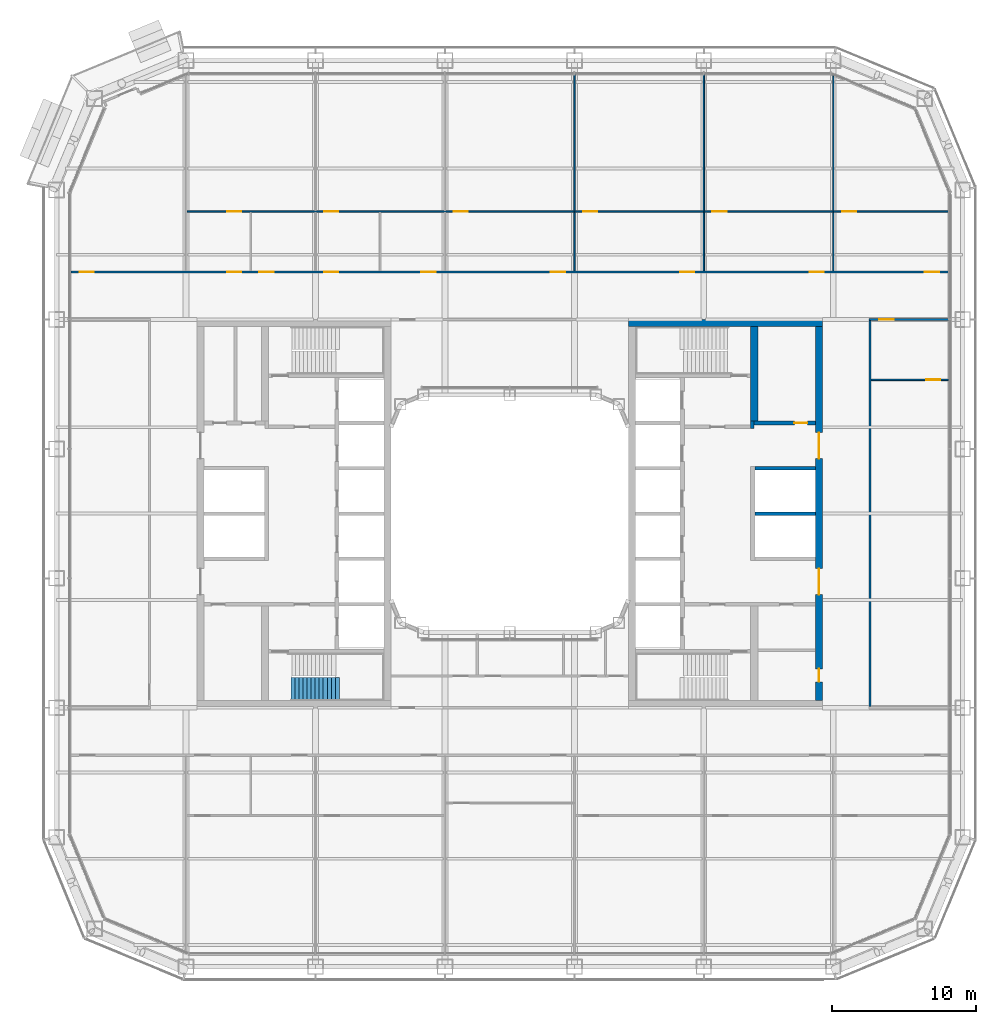
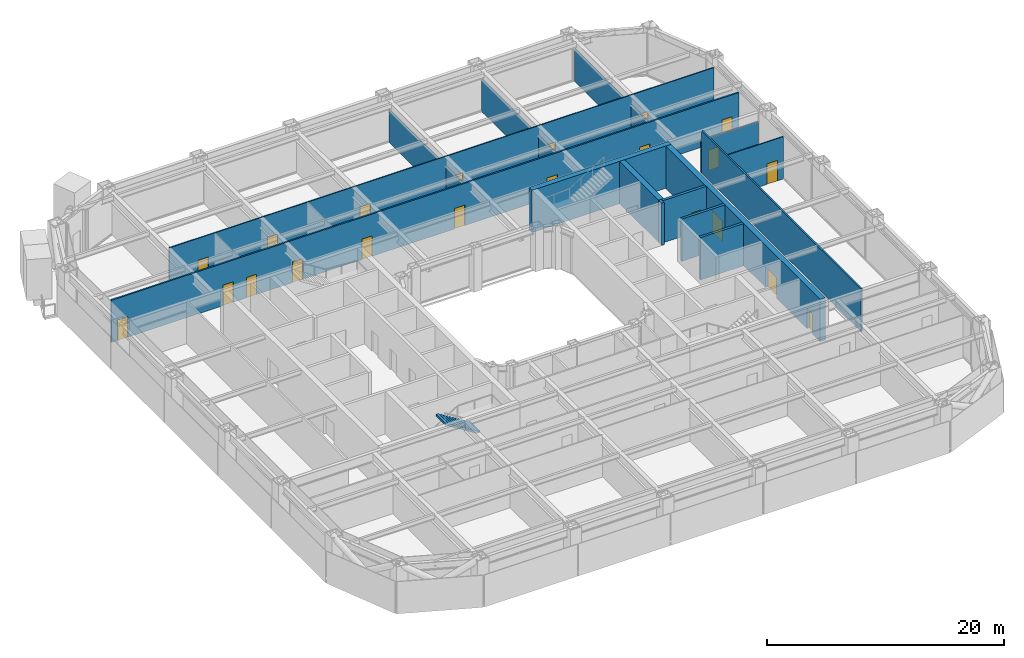
# One storey, part 16 of 29: 21 doors, 18 walls, 1 stair flight, 21 openings, 1 element without a shape of its own.
"""IFC4 building model written with IfcOpenShell, lengths in metres."""

from ifc_helpers import new_model, si_unit, direction, frame, frame_2d, origin, place, context, subcontext, project, spatial, polyline, rectangle, outline, extrude, material, layer, layer_set, type_object, element, fill, aggregate, save


model = new_model("IFC4")

# Units and contexts
model_context = context("Model", 3, precision=1e-05, world=origin(), true_north=direction((0.0, 1.0)))
body_context = subcontext(model_context, "Body", "Model", "MODEL_VIEW")
ifc_project = project(units=[si_unit("LENGTHUNIT", "METRE"), si_unit("AREAUNIT", "SQUARE_METRE"), si_unit("VOLUMEUNIT", "CUBIC_METRE"), si_unit("PLANEANGLEUNIT", "RADIAN"), si_unit("MASSUNIT", "GRAM", prefix="KILO")], contexts=[model_context])

# Site, building, storey
site_placement = place(None, origin())
site = spatial("IfcSite", under=ifc_project, at=site_placement, CompositionType="ELEMENT")
building_placement = place(site_placement, origin())
building = spatial("IfcBuilding", under=site, at=building_placement, Name="Siwar Civic Tower", CompositionType="ELEMENT")
storey_placement = place(building_placement, frame((0.0, 0.0, 49.199951171875)))
storey = spatial("IfcBuildingStorey", under=building, at=storey_placement, Name="L10", CompositionType="ELEMENT", Elevation=49.199951171875)

# Wall
ifc_material_1 = material(Name="Concrete C60/75", Category="concrete")
ifc_layer_1 = layer(ifc_material_1, 0.25)
ifc_layer_set_1 = layer_set([ifc_layer_1], Name="Concrete C60/75")
wall_type_1 = type_object("IfcWallType", Name="CORE-WALL-RC250", PredefinedType="SHEAR", material=ifc_layer_set_1)
wall_1_placement = place(storey_placement, frame((16.875, 5.89990234375, 0.0), z_axis=(0.0, 0.0, 1.0), x_axis=(0.0, 1.0, 0.0)))
element("IfcWall", 1, at=wall_1_placement, inside=storey, type_object=wall_type_1, Name="Core wall E", PredefinedType="SHEAR", context=body_context, shape_type="SweptSolid", body=[
    extrude(rectangle(XDim=0.525146484375, YDim=0.25, at=frame_2d((0.2626953125, 0.0))), origin(), (0.0, 0.0, 1.0), 4.35009765625),
])

# Wall, opening, door
wall_2_placement = place(storey_placement, frame((17.0, 6.300048828125, 0.0), z_axis=(0.0, 0.0, 1.0), x_axis=(1.0, 0.0, 0.0)))
wall_2 = element("IfcWall", 2, at=wall_2_placement, inside=storey, type_object=wall_type_1, Name="Core wall E", PredefinedType="SHEAR", context=body_context, shape_type="SweptSolid", body=[
    extrude(rectangle(XDim=4.25, YDim=0.25, at=frame_2d((2.125, 0.0))), origin(), (0.0, 0.0, 1.0), 4.35009765625),
])
opening_1_placement = place(wall_2_placement, frame((2.800048828125, 0.0, 0.0)))
opening_1 = element("IfcOpeningElement", 3, at=opening_1_placement, cuts=wall_2, Name="Opening L10-CE13", PredefinedType="OPENING", context=body_context, shape_type="SweptSolid", body=[
    extrude(rectangle(XDim=0.89990234375, YDim=2.10009765625, at=frame_2d((0.449951171875, 1.050048828125))), frame((0.0, 0.135009765625, 0.0), z_axis=(0.0, -1.0, 0.0), x_axis=(1.0, 0.0, 0.0)), (0.0, 0.0, 1.0), 0.27001953125),
])
ifc_material_2 = material(Name="Steel door leaf", Category="steel")
door_type_1 = type_object("IfcDoorType", Name="CORE-DOOR-ROOM", OperationType="SINGLE_SWING_LEFT", PredefinedType="DOOR", material=ifc_material_2)
door_1_placement = place(opening_1_placement, origin())
door_1 = element("IfcDoor", 4, at=door_1_placement, inside=storey, type_object=door_type_1, Name="Core room door L10-CE13", OperationType="SINGLE_SWING_LEFT", OverallHeight=2.10009765625, OverallWidth=0.89990234375, PredefinedType="DOOR", context=body_context, shape_type="SweptSolid", body=[
    extrude(rectangle(XDim=0.89990234375, YDim=2.10009765625, at=frame_2d((0.449951171875, 1.050048828125))), frame((0.0, 0.02490234375, 0.0), z_axis=(0.0, -1.0, 0.0), x_axis=(1.0, 0.0, 0.0)), (0.0, 0.0, 1.0), 0.050048828125),
])
fill(opening_1, door_1)

# Walls
for number, where, z_axis, x_axis, name in (
    (5, (17.050048828125, 0.0, 0.0), (0.0, 0.0, 1.0), (1.0, 0.0, 0.0), "Core wall E"),
    (6, (17.050048828125, 3.14990234375, 0.0), (0.0, 0.0, 1.0), (1.0, 0.0, 0.0), "Core wall E"),
):
    element("IfcWall", number, at=place(storey_placement, frame(where, z_axis=z_axis, x_axis=x_axis)), inside=storey, type_object=wall_type_1, Name=name, PredefinedType="SHEAR", context=body_context, shape_type="SweptSolid", body=[
        extrude(rectangle(XDim=4.199951171875, YDim=0.25, at=frame_2d((2.10009765625, 0.0))), origin(), (0.0, 0.0, 1.0), 4.35009765625),
    ])

# Wall, openings, doors
ifc_material_3 = material(Name="Concrete C60/75", Category="concrete")
ifc_layer_2 = layer(ifc_material_3, 0.5)
ifc_layer_set_2 = layer_set([ifc_layer_2], Name="Concrete C60/75")
wall_type_2 = type_object("IfcWallType", Name="CORE-WALL-RC500", PredefinedType="SHEAR", material=ifc_layer_set_2)
wall_3_placement = place(storey_placement, frame((21.5, -13.0, 0.0), z_axis=(0.0, 0.0, 1.0), x_axis=(0.0, 1.0, 0.0)))
wall_3 = element("IfcWall", 7, at=wall_3_placement, inside=storey, type_object=wall_type_2, Name="Core wall E", PredefinedType="SHEAR", context=body_context, shape_type="SweptSolid", body=[
    extrude(rectangle(XDim=26.0, YDim=0.5, at=frame_2d((13.0, 0.0))), origin(), (0.0, 0.0, 1.0), 4.35009765625),
])
opening_2_placement = place(wall_3_placement, frame((16.824951171875, 0.0, 0.0)))
opening_2 = element("IfcOpeningElement", 8, at=opening_2_placement, cuts=wall_3, Name="Opening L10-CE05", PredefinedType="OPENING", context=body_context, shape_type="SweptSolid", body=[
    extrude(rectangle(XDim=1.800048828125, YDim=2.10009765625, at=frame_2d((0.89990234375, 1.050048828125))), frame((0.0, 0.260009765625, 0.0), z_axis=(0.0, -1.0, 0.0), x_axis=(1.0, 0.0, 0.0)), (0.0, 0.0, 1.0), 0.52001953125),
])
opening_3_placement = place(wall_3_placement, frame((7.375, 0.0, 0.0)))
opening_3 = element("IfcOpeningElement", 9, at=opening_3_placement, cuts=wall_3, Name="Opening L10-CE06", PredefinedType="OPENING", context=body_context, shape_type="SweptSolid", body=[
    extrude(rectangle(XDim=1.800048828125, YDim=2.10009765625, at=frame_2d((0.89990234375, 1.050048828125))), frame((0.0, 0.260009765625, 0.0), z_axis=(0.0, -1.0, 0.0), x_axis=(1.0, 0.0, 0.0)), (0.0, 0.0, 1.0), 0.52001953125),
])
opening_4_placement = place(wall_3_placement, frame((1.300048828125, 0.0, 0.0)))
opening_4 = element("IfcOpeningElement", 10, at=opening_4_placement, cuts=wall_3, Name="Opening L10-CE15", PredefinedType="OPENING", context=body_context, shape_type="SweptSolid", body=[
    extrude(rectangle(XDim=0.89990234375, YDim=2.10009765625, at=frame_2d((0.449951171875, 1.050048828125))), frame((0.0, 0.260009765625, 0.0), z_axis=(0.0, -1.0, 0.0), x_axis=(1.0, 0.0, 0.0)), (0.0, 0.0, 1.0), 0.52001953125),
])
ifc_material_4 = material(Name="Steel door leaf", Category="steel")
door_type_2 = type_object("IfcDoorType", Name="CORE-DOOR-PORT", OperationType="DOUBLE_DOOR_DOUBLE_SWING", PredefinedType="DOOR", material=ifc_material_4)
door_2_placement = place(opening_2_placement, origin())
door_2 = element("IfcDoor", 11, at=door_2_placement, inside=storey, type_object=door_type_2, Name="Core entrance door L10-CE05", OperationType="DOUBLE_DOOR_DOUBLE_SWING", OverallHeight=2.10009765625, OverallWidth=1.800048828125, PredefinedType="DOOR", context=body_context, shape_type="SweptSolid", body=[
    extrude(rectangle(XDim=1.800048828125, YDim=2.10009765625, at=frame_2d((0.89990234375, 1.050048828125))), frame((0.0, 0.02490234375, 0.0), z_axis=(0.0, -1.0, 0.0), x_axis=(1.0, 0.0, 0.0)), (0.0, 0.0, 1.0), 0.050048828125),
])
fill(opening_2, door_2)
door_3_placement = place(opening_3_placement, origin())
door_3 = element("IfcDoor", 12, at=door_3_placement, inside=storey, type_object=door_type_2, Name="Core entrance door L10-CE06", OperationType="DOUBLE_DOOR_DOUBLE_SWING", OverallHeight=2.10009765625, OverallWidth=1.800048828125, PredefinedType="DOOR", context=body_context, shape_type="SweptSolid", body=[
    extrude(rectangle(XDim=1.800048828125, YDim=2.10009765625, at=frame_2d((0.89990234375, 1.050048828125))), frame((0.0, 0.02490234375, 0.0), z_axis=(0.0, -1.0, 0.0), x_axis=(1.0, 0.0, 0.0)), (0.0, 0.0, 1.0), 0.050048828125),
])
fill(opening_3, door_3)
door_4_placement = place(opening_4_placement, origin())
door_4 = element("IfcDoor", 13, at=door_4_placement, inside=storey, type_object=door_type_1, Name="Core room door L10-CE15", OperationType="SINGLE_SWING_LEFT", OverallHeight=2.10009765625, OverallWidth=0.89990234375, PredefinedType="DOOR", context=body_context, shape_type="SweptSolid", body=[
    extrude(rectangle(XDim=0.89990234375, YDim=2.10009765625, at=frame_2d((0.449951171875, 1.050048828125))), frame((0.0, 0.02490234375, 0.0), z_axis=(0.0, -1.0, 0.0), x_axis=(1.0, 0.0, 0.0)), (0.0, 0.0, 1.0), 0.050048828125),
])
fill(opening_4, door_4)

# Walls
wall_4_placement = place(storey_placement, frame((17.0, 6.425048828125, 0.0), z_axis=(0.0, 0.0, 1.0), x_axis=(0.0, 1.0, 0.0)))
element("IfcWall", 14, at=wall_4_placement, inside=storey, type_object=wall_type_2, Name="Core wall E", PredefinedType="SHEAR", context=body_context, shape_type="SweptSolid", body=[
    extrude(rectangle(XDim=6.574951171875, YDim=0.5, at=frame_2d((3.28759765625, 0.0))), origin(), (0.0, 0.0, 1.0), 4.35009765625),
])
wall_5_placement = place(storey_placement, frame((8.25, 13.25, 0.0), z_axis=(0.0, 0.0, 1.0), x_axis=(1.0, 0.0, 0.0)))
element("IfcWall", 15, at=wall_5_placement, inside=storey, type_object=wall_type_2, Name="Core wall E", PredefinedType="SHEAR", context=body_context, shape_type="SweptSolid", body=[
    extrude(rectangle(XDim=13.5, YDim=0.5, at=frame_2d((6.75, 0.0))), origin(), (0.0, 0.0, 1.0), 4.35009765625),
])

# Wall, opening, door
ifc_material_5 = material(Name="Gypsum board on steel studs", Category="steel")
ifc_layer_3 = layer(ifc_material_5, 0.14990234375)
ifc_layer_set_3 = layer_set([ifc_layer_3], Name="Gypsum board on steel studs")
wall_type_3 = type_object("IfcWallType", Name="CORRIDOR PARTITION 150 EI 30", PredefinedType="PARTITIONING", material=ifc_layer_set_3)
wall_6_placement = place(storey_placement, frame((24.97509765625, 13.5, 0.0), z_axis=(0.0, 0.0, 1.0), x_axis=(1.0, 0.0, 0.0)))
wall_6 = element("IfcWall", 16, at=wall_6_placement, inside=storey, type_object=wall_type_3, Name="L10/wall/P13", PredefinedType="PARTITIONING", context=body_context, shape_type="SweptSolid", body=[
    extrude(rectangle(XDim=5.534912109375, YDim=0.14990234375, at=frame_2d((2.767578125, 0.0))), origin(), (0.0, 0.0, 1.0), 3.35009765625),
])
opening_5_placement = place(wall_6_placement, frame((0.72509765625, 0.0, 0.0)))
opening_5 = element("IfcOpeningElement", 17, at=opening_5_placement, cuts=wall_6, Name="Opening D1", PredefinedType="OPENING", context=body_context, shape_type="SweptSolid", body=[
    extrude(rectangle(XDim=1.0, YDim=2.10009765625, at=frame_2d((0.5, 1.050048828125))), frame((0.0, 0.0849609375, 0.0), z_axis=(0.0, -1.0, 0.0), x_axis=(1.0, 0.0, 0.0)), (0.0, 0.0, 1.0), 0.169921875),
])
ifc_material_6 = material(Name="Timber, painted", Category="wood")
door_type_3 = type_object("IfcDoorType", Name="DOOR 1000 X 2100 FD30", OperationType="SINGLE_SWING_LEFT", PredefinedType="DOOR", material=ifc_material_6)
door_5_placement = place(opening_5_placement, origin())
door_5 = element("IfcDoor", 18, at=door_5_placement, inside=storey, type_object=door_type_3, Name="L10-D31", OperationType="SINGLE_SWING_LEFT", OverallHeight=2.10009765625, OverallWidth=1.0, PredefinedType="DOOR", context=body_context, shape_type="SweptSolid", body=[
    extrude(rectangle(XDim=1.0, YDim=2.10009765625, at=frame_2d((0.5, 1.050048828125))), frame((0.0, 0.02490234375, 0.0), z_axis=(0.0, -1.0, 0.0), x_axis=(1.0, 0.0, 0.0)), (0.0, 0.0, 1.0), 0.050048828125),
])
fill(opening_5, door_5)

# Wall, openings, doors
wall_7_placement = place(storey_placement, frame((-30.510009765625, 16.800048828125, 0.0), z_axis=(0.0, 0.0, 1.0), x_axis=(1.0, 0.0, 0.0)))
wall_7 = element("IfcWall", 19, at=wall_7_placement, inside=storey, type_object=wall_type_3, Name="L10/wall/P14", PredefinedType="PARTITIONING", context=body_context, shape_type="SweptSolid", body=[
    extrude(rectangle(XDim=61.02001953125, YDim=0.14990234375, at=frame_2d((30.510009765625, 0.0))), origin(), (0.0, 0.0, 1.0), 4.35009765625),
])
opening_6_placement = place(wall_7_placement, frame((10.860107421875, 0.0, 0.0)))
opening_6 = element("IfcOpeningElement", 20, at=opening_6_placement, cuts=wall_7, Name="Opening D1", PredefinedType="OPENING", context=body_context, shape_type="SweptSolid", body=[
    extrude(rectangle(XDim=1.0, YDim=2.10009765625, at=frame_2d((0.5, 1.050048828125))), frame((0.0, 0.0849609375, 0.0), z_axis=(0.0, -1.0, 0.0), x_axis=(1.0, 0.0, 0.0)), (0.0, 0.0, 1.0), 0.169921875),
])
opening_7_placement = place(wall_7_placement, frame((13.110107421875, 0.0, 0.0)))
opening_7 = element("IfcOpeningElement", 21, at=opening_7_placement, cuts=wall_7, Name="Opening D1", PredefinedType="OPENING", context=body_context, shape_type="SweptSolid", body=[
    extrude(rectangle(XDim=1.0, YDim=2.10009765625, at=frame_2d((0.5, 1.050048828125))), frame((0.0, 0.0849609375, 0.0), z_axis=(0.0, -1.0, 0.0), x_axis=(1.0, 0.0, 0.0)), (0.0, 0.0, 1.0), 0.169921875),
])
opening_8_placement = place(wall_7_placement, frame((17.610107421875, 0.0, 0.0)))
opening_8 = element("IfcOpeningElement", 22, at=opening_8_placement, cuts=wall_7, Name="Opening D1", PredefinedType="OPENING", context=body_context, shape_type="SweptSolid", body=[
    extrude(rectangle(XDim=1.0, YDim=2.10009765625, at=frame_2d((0.5, 1.050048828125))), frame((0.0, 0.0849609375, 0.0), z_axis=(0.0, -1.0, 0.0), x_axis=(1.0, 0.0, 0.0)), (0.0, 0.0, 1.0), 0.169921875),
])
opening_9_placement = place(wall_7_placement, frame((24.360107421875, 0.0, 0.0)))
opening_9 = element("IfcOpeningElement", 23, at=opening_9_placement, cuts=wall_7, Name="Opening D1", PredefinedType="OPENING", context=body_context, shape_type="SweptSolid", body=[
    extrude(rectangle(XDim=1.0, YDim=2.10009765625, at=frame_2d((0.5, 1.050048828125))), frame((0.0, 0.0849609375, 0.0), z_axis=(0.0, -1.0, 0.0), x_axis=(1.0, 0.0, 0.0)), (0.0, 0.0, 1.0), 0.169921875),
])
opening_10_placement = place(wall_7_placement, frame((33.360107421875, 0.0, 0.0)))
opening_10 = element("IfcOpeningElement", 24, at=opening_10_placement, cuts=wall_7, Name="Opening D1", PredefinedType="OPENING", context=body_context, shape_type="SweptSolid", body=[
    extrude(rectangle(XDim=1.0, YDim=2.10009765625, at=frame_2d((0.5, 1.050048828125))), frame((0.0, 0.0849609375, 0.0), z_axis=(0.0, -1.0, 0.0), x_axis=(1.0, 0.0, 0.0)), (0.0, 0.0, 1.0), 0.169921875),
])
opening_11_placement = place(wall_7_placement, frame((42.360107421875, 0.0, 0.0)))
opening_11 = element("IfcOpeningElement", 25, at=opening_11_placement, cuts=wall_7, Name="Opening D1", PredefinedType="OPENING", context=body_context, shape_type="SweptSolid", body=[
    extrude(rectangle(XDim=1.0, YDim=2.10009765625, at=frame_2d((0.5, 1.050048828125))), frame((0.0, 0.0849609375, 0.0), z_axis=(0.0, -1.0, 0.0), x_axis=(1.0, 0.0, 0.0)), (0.0, 0.0, 1.0), 0.169921875),
])
opening_12_placement = place(wall_7_placement, frame((51.360107421875, 0.0, 0.0)))
opening_12 = element("IfcOpeningElement", 26, at=opening_12_placement, cuts=wall_7, Name="Opening D1", PredefinedType="OPENING", context=body_context, shape_type="SweptSolid", body=[
    extrude(rectangle(XDim=1.0, YDim=2.10009765625, at=frame_2d((0.5, 1.050048828125))), frame((0.0, 0.0849609375, 0.0), z_axis=(0.0, -1.0, 0.0), x_axis=(1.0, 0.0, 0.0)), (0.0, 0.0, 1.0), 0.169921875),
])
opening_13_placement = place(wall_7_placement, frame((0.610107421875, 0.0, 0.0)))
opening_13 = element("IfcOpeningElement", 27, at=opening_13_placement, cuts=wall_7, Name="Opening D1", PredefinedType="OPENING", context=body_context, shape_type="SweptSolid", body=[
    extrude(rectangle(XDim=1.0, YDim=2.10009765625, at=frame_2d((0.5, 1.050048828125))), frame((0.0, 0.0849609375, 0.0), z_axis=(0.0, -1.0, 0.0), x_axis=(1.0, 0.0, 0.0)), (0.0, 0.0, 1.0), 0.169921875),
])
opening_14_placement = place(wall_7_placement, frame((59.3701171875, 0.0, 0.0)))
opening_14 = element("IfcOpeningElement", 28, at=opening_14_placement, cuts=wall_7, Name="Opening D1", PredefinedType="OPENING", context=body_context, shape_type="SweptSolid", body=[
    extrude(rectangle(XDim=1.0, YDim=2.10009765625, at=frame_2d((0.5, 1.050048828125))), frame((0.0, 0.0849609375, 0.0), z_axis=(0.0, -1.0, 0.0), x_axis=(1.0, 0.0, 0.0)), (0.0, 0.0, 1.0), 0.169921875),
])
door_6_placement = place(opening_6_placement, origin())
door_6 = element("IfcDoor", 29, at=door_6_placement, inside=storey, type_object=door_type_3, Name="L10-D01", OperationType="SINGLE_SWING_LEFT", OverallHeight=2.10009765625, OverallWidth=1.0, PredefinedType="DOOR", context=body_context, shape_type="SweptSolid", body=[
    extrude(rectangle(XDim=1.0, YDim=2.10009765625, at=frame_2d((0.5, 1.050048828125))), frame((0.0, 0.02490234375, 0.0), z_axis=(0.0, -1.0, 0.0), x_axis=(1.0, 0.0, 0.0)), (0.0, 0.0, 1.0), 0.050048828125),
])
fill(opening_6, door_6)
door_7_placement = place(opening_7_placement, origin())
door_7 = element("IfcDoor", 30, at=door_7_placement, inside=storey, type_object=door_type_3, Name="L10-D02", OperationType="SINGLE_SWING_RIGHT", OverallHeight=2.10009765625, OverallWidth=1.0, PredefinedType="DOOR", context=body_context, shape_type="SweptSolid", body=[
    extrude(rectangle(XDim=1.0, YDim=2.10009765625, at=frame_2d((0.5, 1.050048828125))), frame((0.0, 0.02490234375, 0.0), z_axis=(0.0, -1.0, 0.0), x_axis=(1.0, 0.0, 0.0)), (0.0, 0.0, 1.0), 0.050048828125),
])
fill(opening_7, door_7)
door_8_placement = place(opening_8_placement, origin())
door_8 = element("IfcDoor", 31, at=door_8_placement, inside=storey, type_object=door_type_3, Name="L10-D04", OperationType="SINGLE_SWING_RIGHT", OverallHeight=2.10009765625, OverallWidth=1.0, PredefinedType="DOOR", context=body_context, shape_type="SweptSolid", body=[
    extrude(rectangle(XDim=1.0, YDim=2.10009765625, at=frame_2d((0.5, 1.050048828125))), frame((0.0, 0.02490234375, 0.0), z_axis=(0.0, -1.0, 0.0), x_axis=(1.0, 0.0, 0.0)), (0.0, 0.0, 1.0), 0.050048828125),
])
fill(opening_8, door_8)
door_9_placement = place(opening_9_placement, origin())
door_9 = element("IfcDoor", 32, at=door_9_placement, inside=storey, type_object=door_type_3, Name="L10-D05", OperationType="SINGLE_SWING_LEFT", OverallHeight=2.10009765625, OverallWidth=1.0, PredefinedType="DOOR", context=body_context, shape_type="SweptSolid", body=[
    extrude(rectangle(XDim=1.0, YDim=2.10009765625, at=frame_2d((0.5, 1.050048828125))), frame((0.0, 0.02490234375, 0.0), z_axis=(0.0, -1.0, 0.0), x_axis=(1.0, 0.0, 0.0)), (0.0, 0.0, 1.0), 0.050048828125),
])
fill(opening_9, door_9)
door_10_placement = place(opening_10_placement, origin())
door_10 = element("IfcDoor", 33, at=door_10_placement, inside=storey, type_object=door_type_3, Name="L10-D07", OperationType="SINGLE_SWING_LEFT", OverallHeight=2.10009765625, OverallWidth=1.0, PredefinedType="DOOR", context=body_context, shape_type="SweptSolid", body=[
    extrude(rectangle(XDim=1.0, YDim=2.10009765625, at=frame_2d((0.5, 1.050048828125))), frame((0.0, 0.02490234375, 0.0), z_axis=(0.0, -1.0, 0.0), x_axis=(1.0, 0.0, 0.0)), (0.0, 0.0, 1.0), 0.050048828125),
])
fill(opening_10, door_10)
door_11_placement = place(opening_11_placement, origin())
door_11 = element("IfcDoor", 34, at=door_11_placement, inside=storey, type_object=door_type_3, Name="L10-D09", OperationType="SINGLE_SWING_LEFT", OverallHeight=2.10009765625, OverallWidth=1.0, PredefinedType="DOOR", context=body_context, shape_type="SweptSolid", body=[
    extrude(rectangle(XDim=1.0, YDim=2.10009765625, at=frame_2d((0.5, 1.050048828125))), frame((0.0, 0.02490234375, 0.0), z_axis=(0.0, -1.0, 0.0), x_axis=(1.0, 0.0, 0.0)), (0.0, 0.0, 1.0), 0.050048828125),
])
fill(opening_11, door_11)
door_12_placement = place(opening_12_placement, origin())
door_12 = element("IfcDoor", 35, at=door_12_placement, inside=storey, type_object=door_type_3, Name="L10-D11", OperationType="SINGLE_SWING_LEFT", OverallHeight=2.10009765625, OverallWidth=1.0, PredefinedType="DOOR", context=body_context, shape_type="SweptSolid", body=[
    extrude(rectangle(XDim=1.0, YDim=2.10009765625, at=frame_2d((0.5, 1.050048828125))), frame((0.0, 0.02490234375, 0.0), z_axis=(0.0, -1.0, 0.0), x_axis=(1.0, 0.0, 0.0)), (0.0, 0.0, 1.0), 0.050048828125),
])
fill(opening_12, door_12)
door_13_placement = place(opening_13_placement, origin())
door_13 = element("IfcDoor", 36, at=door_13_placement, inside=storey, type_object=door_type_3, Name="L10-D24", OperationType="SINGLE_SWING_RIGHT", OverallHeight=2.10009765625, OverallWidth=1.0, PredefinedType="DOOR", context=body_context, shape_type="SweptSolid", body=[
    extrude(rectangle(XDim=1.0, YDim=2.10009765625, at=frame_2d((0.5, 1.050048828125))), frame((0.0, 0.02490234375, 0.0), z_axis=(0.0, -1.0, 0.0), x_axis=(1.0, 0.0, 0.0)), (0.0, 0.0, 1.0), 0.050048828125),
])
fill(opening_13, door_13)
door_14_placement = place(opening_14_placement, origin())
door_14 = element("IfcDoor", 37, at=door_14_placement, inside=storey, type_object=door_type_3, Name="L10-D25", OperationType="SINGLE_SWING_LEFT", OverallHeight=2.10009765625, OverallWidth=1.0, PredefinedType="DOOR", context=body_context, shape_type="SweptSolid", body=[
    extrude(rectangle(XDim=1.0, YDim=2.10009765625, at=frame_2d((0.5, 1.050048828125))), frame((0.0, 0.02490234375, 0.0), z_axis=(0.0, -1.0, 0.0), x_axis=(1.0, 0.0, 0.0)), (0.0, 0.0, 1.0), 0.050048828125),
])
fill(opening_14, door_14)

# Wall
wall_8_placement = place(storey_placement, frame((25.050048828125, -13.425048828125, 0.0), z_axis=(0.0, 0.0, 1.0), x_axis=(0.0, 1.0, 0.0)))
element("IfcWall", 38, at=wall_8_placement, inside=storey, type_object=wall_type_3, Name="L10/wall/P43", PredefinedType="PARTITIONING", context=body_context, shape_type="SweptSolid", body=[
    extrude(rectangle(XDim=26.85009765625, YDim=0.14990234375, at=frame_2d((13.425048828125, 0.0))), origin(), (0.0, 0.0, 1.0), 4.35009765625),
])

# Wall, opening, door
ifc_material_7 = material(Name="Gypsum board on steel studs", Category="steel")
ifc_layer_4 = layer(ifc_material_7, 0.10009765625)
ifc_layer_set_4 = layer_set([ifc_layer_4], Name="Gypsum board on steel studs")
wall_type_4 = type_object("IfcWallType", Name="PARTITION 100 GYPSUM", PredefinedType="PARTITIONING", material=ifc_layer_set_4)
wall_9_placement = place(storey_placement, frame((25.125, 9.300048828125, 0.0), z_axis=(0.0, 0.0, 1.0), x_axis=(1.0, 0.0, 0.0)))
wall_9 = element("IfcWall", 39, at=wall_9_placement, inside=storey, type_object=wall_type_4, Name="L10/wall/P10", PredefinedType="PARTITIONING", context=body_context, shape_type="SweptSolid", body=[
    extrude(rectangle(XDim=5.385009765625, YDim=0.10009765625, at=frame_2d((2.6923828125, 0.0))), origin(), (0.0, 0.0, 1.0), 4.35009765625),
])
opening_15_placement = place(wall_9_placement, frame((3.824951171875, 0.0, 0.0)))
opening_15 = element("IfcOpeningElement", 40, at=opening_15_placement, cuts=wall_9, Name="Opening D2", PredefinedType="OPENING", context=body_context, shape_type="SweptSolid", body=[
    extrude(rectangle(XDim=1.0, YDim=2.10009765625, at=frame_2d((0.5, 1.050048828125))), frame((0.0, 0.06005859375, 0.0), z_axis=(0.0, -1.0, 0.0), x_axis=(1.0, 0.0, 0.0)), (0.0, 0.0, 1.0), 0.1201171875),
])
ifc_material_8 = material(Name="Timber, painted", Category="wood")
door_type_4 = type_object("IfcDoorType", Name="DOOR 1000 X 2100", OperationType="SINGLE_SWING_LEFT", PredefinedType="DOOR", material=ifc_material_8)
door_15_placement = place(opening_15_placement, origin())
door_15 = element("IfcDoor", 41, at=door_15_placement, inside=storey, type_object=door_type_4, Name="L10-D32", OperationType="SINGLE_SWING_RIGHT", OverallHeight=2.10009765625, OverallWidth=1.0, PredefinedType="DOOR", context=body_context, shape_type="SweptSolid", body=[
    extrude(rectangle(XDim=1.0, YDim=2.10009765625, at=frame_2d((0.5, 1.050048828125))), frame((0.0, 0.02490234375, 0.0), z_axis=(0.0, -1.0, 0.0), x_axis=(1.0, 0.0, 0.0)), (0.0, 0.0, 1.0), 0.050048828125),
])
fill(opening_15, door_15)

# Wall, openings, doors
wall_10_placement = place(storey_placement, frame((-22.449951171875, 21.0, 0.0), z_axis=(0.0, 0.0, 1.0), x_axis=(1.0, 0.0, 0.0)))
wall_10 = element("IfcWall", 42, at=wall_10_placement, inside=storey, type_object=wall_type_4, Name="L10/wall/P15", PredefinedType="PARTITIONING", context=body_context, shape_type="SweptSolid", body=[
    extrude(rectangle(XDim=52.9599609375, YDim=0.10009765625, at=frame_2d((26.47998046875, 0.0))), origin(), (0.0, 0.0, 1.0), 4.35009765625),
])
opening_16_placement = place(wall_10_placement, frame((2.800048828125, 0.0, 0.0)))
opening_16 = element("IfcOpeningElement", 43, at=opening_16_placement, cuts=wall_10, Name="Opening D2", PredefinedType="OPENING", context=body_context, shape_type="SweptSolid", body=[
    extrude(rectangle(XDim=1.0, YDim=2.10009765625, at=frame_2d((0.5, 1.050048828125))), frame((0.0, 0.06005859375, 0.0), z_axis=(0.0, -1.0, 0.0), x_axis=(1.0, 0.0, 0.0)), (0.0, 0.0, 1.0), 0.1201171875),
])
opening_17_placement = place(wall_10_placement, frame((9.550048828125, 0.0, 0.0)))
opening_17 = element("IfcOpeningElement", 44, at=opening_17_placement, cuts=wall_10, Name="Opening D2", PredefinedType="OPENING", context=body_context, shape_type="SweptSolid", body=[
    extrude(rectangle(XDim=1.0, YDim=2.10009765625, at=frame_2d((0.5, 1.050048828125))), frame((0.0, 0.06005859375, 0.0), z_axis=(0.0, -1.0, 0.0), x_axis=(1.0, 0.0, 0.0)), (0.0, 0.0, 1.0), 0.1201171875),
])
opening_18_placement = place(wall_10_placement, frame((18.550048828125, 0.0, 0.0)))
opening_18 = element("IfcOpeningElement", 45, at=opening_18_placement, cuts=wall_10, Name="Opening D2", PredefinedType="OPENING", context=body_context, shape_type="SweptSolid", body=[
    extrude(rectangle(XDim=1.0, YDim=2.10009765625, at=frame_2d((0.5, 1.050048828125))), frame((0.0, 0.06005859375, 0.0), z_axis=(0.0, -1.0, 0.0), x_axis=(1.0, 0.0, 0.0)), (0.0, 0.0, 1.0), 0.1201171875),
])
opening_19_placement = place(wall_10_placement, frame((27.550048828125, 0.0, 0.0)))
opening_19 = element("IfcOpeningElement", 46, at=opening_19_placement, cuts=wall_10, Name="Opening D2", PredefinedType="OPENING", context=body_context, shape_type="SweptSolid", body=[
    extrude(rectangle(XDim=1.0, YDim=2.10009765625, at=frame_2d((0.5, 1.050048828125))), frame((0.0, 0.06005859375, 0.0), z_axis=(0.0, -1.0, 0.0), x_axis=(1.0, 0.0, 0.0)), (0.0, 0.0, 1.0), 0.1201171875),
])
opening_20_placement = place(wall_10_placement, frame((36.550048828125, 0.0, 0.0)))
opening_20 = element("IfcOpeningElement", 47, at=opening_20_placement, cuts=wall_10, Name="Opening D2", PredefinedType="OPENING", context=body_context, shape_type="SweptSolid", body=[
    extrude(rectangle(XDim=1.0, YDim=2.10009765625, at=frame_2d((0.5, 1.050048828125))), frame((0.0, 0.06005859375, 0.0), z_axis=(0.0, -1.0, 0.0), x_axis=(1.0, 0.0, 0.0)), (0.0, 0.0, 1.0), 0.1201171875),
])
opening_21_placement = place(wall_10_placement, frame((45.56005859375, 0.0, 0.0)))
opening_21 = element("IfcOpeningElement", 48, at=opening_21_placement, cuts=wall_10, Name="Opening D2", PredefinedType="OPENING", context=body_context, shape_type="SweptSolid", body=[
    extrude(rectangle(XDim=1.0, YDim=2.10009765625, at=frame_2d((0.5, 1.050048828125))), frame((0.0, 0.06005859375, 0.0), z_axis=(0.0, -1.0, 0.0), x_axis=(1.0, 0.0, 0.0)), (0.0, 0.0, 1.0), 0.1201171875),
])
door_16_placement = place(opening_16_placement, origin())
door_16 = element("IfcDoor", 49, at=door_16_placement, inside=storey, type_object=door_type_4, Name="L10-D03", OperationType="SINGLE_SWING_LEFT", OverallHeight=2.10009765625, OverallWidth=1.0, PredefinedType="DOOR", context=body_context, shape_type="SweptSolid", body=[
    extrude(rectangle(XDim=1.0, YDim=2.10009765625, at=frame_2d((0.5, 1.050048828125))), frame((0.0, 0.02490234375, 0.0), z_axis=(0.0, -1.0, 0.0), x_axis=(1.0, 0.0, 0.0)), (0.0, 0.0, 1.0), 0.050048828125),
])
fill(opening_16, door_16)
door_17_placement = place(opening_17_placement, origin())
door_17 = element("IfcDoor", 50, at=door_17_placement, inside=storey, type_object=door_type_4, Name="L10-D06", OperationType="SINGLE_SWING_RIGHT", OverallHeight=2.10009765625, OverallWidth=1.0, PredefinedType="DOOR", context=body_context, shape_type="SweptSolid", body=[
    extrude(rectangle(XDim=1.0, YDim=2.10009765625, at=frame_2d((0.5, 1.050048828125))), frame((0.0, 0.02490234375, 0.0), z_axis=(0.0, -1.0, 0.0), x_axis=(1.0, 0.0, 0.0)), (0.0, 0.0, 1.0), 0.050048828125),
])
fill(opening_17, door_17)
door_18_placement = place(opening_18_placement, origin())
door_18 = element("IfcDoor", 51, at=door_18_placement, inside=storey, type_object=door_type_4, Name="L10-D08", OperationType="SINGLE_SWING_RIGHT", OverallHeight=2.10009765625, OverallWidth=1.0, PredefinedType="DOOR", context=body_context, shape_type="SweptSolid", body=[
    extrude(rectangle(XDim=1.0, YDim=2.10009765625, at=frame_2d((0.5, 1.050048828125))), frame((0.0, 0.02490234375, 0.0), z_axis=(0.0, -1.0, 0.0), x_axis=(1.0, 0.0, 0.0)), (0.0, 0.0, 1.0), 0.050048828125),
])
fill(opening_18, door_18)
door_19_placement = place(opening_19_placement, origin())
door_19 = element("IfcDoor", 52, at=door_19_placement, inside=storey, type_object=door_type_4, Name="L10-D10", OperationType="SINGLE_SWING_RIGHT", OverallHeight=2.10009765625, OverallWidth=1.0, PredefinedType="DOOR", context=body_context, shape_type="SweptSolid", body=[
    extrude(rectangle(XDim=1.0, YDim=2.10009765625, at=frame_2d((0.5, 1.050048828125))), frame((0.0, 0.02490234375, 0.0), z_axis=(0.0, -1.0, 0.0), x_axis=(1.0, 0.0, 0.0)), (0.0, 0.0, 1.0), 0.050048828125),
])
fill(opening_19, door_19)
door_20_placement = place(opening_20_placement, origin())
door_20 = element("IfcDoor", 53, at=door_20_placement, inside=storey, type_object=door_type_4, Name="L10-D12", OperationType="SINGLE_SWING_RIGHT", OverallHeight=2.10009765625, OverallWidth=1.0, PredefinedType="DOOR", context=body_context, shape_type="SweptSolid", body=[
    extrude(rectangle(XDim=1.0, YDim=2.10009765625, at=frame_2d((0.5, 1.050048828125))), frame((0.0, 0.02490234375, 0.0), z_axis=(0.0, -1.0, 0.0), x_axis=(1.0, 0.0, 0.0)), (0.0, 0.0, 1.0), 0.050048828125),
])
fill(opening_20, door_20)
door_21_placement = place(opening_21_placement, origin())
door_21 = element("IfcDoor", 54, at=door_21_placement, inside=storey, type_object=door_type_4, Name="L10-D26", OperationType="SINGLE_SWING_RIGHT", OverallHeight=2.10009765625, OverallWidth=1.0, PredefinedType="DOOR", context=body_context, shape_type="SweptSolid", body=[
    extrude(rectangle(XDim=1.0, YDim=2.10009765625, at=frame_2d((0.5, 1.050048828125))), frame((0.0, 0.02490234375, 0.0), z_axis=(0.0, -1.0, 0.0), x_axis=(1.0, 0.0, 0.0)), (0.0, 0.0, 1.0), 0.050048828125),
])
fill(opening_21, door_21)

# Walls
wall_11_placement = place(storey_placement, frame((4.5, 16.875, 0.0), z_axis=(0.0, 0.0, 1.0), x_axis=(0.0, 1.0, 0.0)))
element("IfcWall", 55, at=wall_11_placement, inside=storey, type_object=wall_type_4, Name="L10/wall/P32", PredefinedType="PARTITIONING", context=body_context, shape_type="SweptSolid", body=[
    extrude(rectangle(XDim=4.074951171875, YDim=0.10009765625, at=frame_2d((2.03759765625, 0.0))), origin(), (0.0, 0.0, 1.0), 3.35009765625),
])
wall_12_placement = place(storey_placement, frame((4.5, 21.050048828125, 0.0), z_axis=(0.0, 0.0, 1.0), x_axis=(0.0, 1.0, 0.0)))
element("IfcWall", 56, at=wall_12_placement, inside=storey, type_object=wall_type_4, Name="L10/wall/P33", PredefinedType="PARTITIONING", context=body_context, shape_type="SweptSolid", body=[
    extrude(rectangle(XDim=9.4599609375, YDim=0.10009765625, at=frame_2d((4.72998046875, 0.0))), origin(), (0.0, 0.0, 1.0), 3.35009765625),
])
wall_13_placement = place(storey_placement, frame((13.5, 16.875, 0.0), z_axis=(0.0, 0.0, 1.0), x_axis=(0.0, 1.0, 0.0)))
element("IfcWall", 57, at=wall_13_placement, inside=storey, type_object=wall_type_4, Name="L10/wall/P37", PredefinedType="PARTITIONING", context=body_context, shape_type="SweptSolid", body=[
    extrude(rectangle(XDim=4.074951171875, YDim=0.10009765625, at=frame_2d((2.03759765625, 0.0))), origin(), (0.0, 0.0, 1.0), 3.35009765625),
])
wall_14_placement = place(storey_placement, frame((13.5, 21.050048828125, 0.0), z_axis=(0.0, 0.0, 1.0), x_axis=(0.0, 1.0, 0.0)))
element("IfcWall", 58, at=wall_14_placement, inside=storey, type_object=wall_type_4, Name="L10/wall/P38", PredefinedType="PARTITIONING", context=body_context, shape_type="SweptSolid", body=[
    extrude(rectangle(XDim=9.4599609375, YDim=0.10009765625, at=frame_2d((4.72998046875, 0.0))), origin(), (0.0, 0.0, 1.0), 3.35009765625),
])
wall_15_placement = place(storey_placement, frame((22.5, 16.875, 0.0), z_axis=(0.0, 0.0, 1.0), x_axis=(0.0, 1.0, 0.0)))
element("IfcWall", 59, at=wall_15_placement, inside=storey, type_object=wall_type_4, Name="L10/wall/P41", PredefinedType="PARTITIONING", context=body_context, shape_type="SweptSolid", body=[
    extrude(rectangle(XDim=4.074951171875, YDim=0.10009765625, at=frame_2d((2.03759765625, 0.0))), origin(), (0.0, 0.0, 1.0), 3.35009765625),
])
wall_16_placement = place(storey_placement, frame((22.5, 21.050048828125, 0.0), z_axis=(0.0, 0.0, 1.0), x_axis=(0.0, 1.0, 0.0)))
element("IfcWall", 60, at=wall_16_placement, inside=storey, type_object=wall_type_4, Name="L10/wall/P42", PredefinedType="PARTITIONING", context=body_context, shape_type="SweptSolid", body=[
    extrude(rectangle(XDim=9.3779296875, YDim=0.10009765625, at=frame_2d((4.68896484375, 0.0))), origin(), (0.0, 0.0, 1.0), 3.35009765625),
])

# Stair, stair flight
ifc_material_9 = material(Name="Concrete C40/50", Category="concrete")
stair_type = type_object("IfcStairType", Name="CORE-STAIR", PredefinedType="TWO_STRAIGHT_RUN_STAIR", material=ifc_material_9)
stair_placement = place(storey_placement, origin())
stair = element("IfcStair", 61, at=stair_placement, inside=storey, type_object=stair_type, Name="Exit stair ST2", PredefinedType="TWO_STRAIGHT_RUN_STAIR")
ifc_material_10 = material(Name="Concrete C40/50", Category="concrete")
stair_flight_type = type_object("IfcStairFlightType", Name="CORE-STAIR-FLIGHT", PredefinedType="STRAIGHT", material=ifc_material_10)
stair_flight_placement = place(storey_placement, frame((-11.840087890625, -12.199951171875, 2.25), z_axis=(0.0, 0.0, 1.0), x_axis=(-1.0, 0.0, 0.0)))
stair_flight = element("IfcStairFlight", 62, at=stair_flight_placement, type_object=stair_flight_type, Name="ST2 flight 2", NumberOfRisers=13, NumberOfTreads=12, PredefinedType="STRAIGHT", RiserHeight=0.173076923, TreadLength=0.28, context=body_context, shape_type="SweptSolid", body=[
    extrude(outline(polyline([(0.0, 0.0), (0.0, 0.173095703125), (0.280029296875, 0.173095703125), (0.280029296875, 0.34619140625), (0.56005859375, 0.34619140625), (0.56005859375, 0.519287109375), (0.840087890625, 0.519287109375), (0.840087890625, 0.6923828125), (1.1201171875, 0.6923828125), (1.1201171875, 0.865478515625), (1.39990234375, 0.865478515625), (1.39990234375, 1.03857421875), (1.679931640625, 1.03857421875), (1.679931640625, 1.21142578125), (1.9599609375, 1.21142578125), (1.9599609375, 1.384521484375), (2.239990234375, 1.384521484375), (2.239990234375, 1.5576171875), (2.52001953125, 1.5576171875), (2.52001953125, 1.730712890625), (2.800048828125, 1.730712890625), (2.800048828125, 1.90380859375), (3.080078125, 1.90380859375), (3.080078125, 2.076904296875), (3.360107421875, 2.076904296875), (3.360107421875, 2.25), (3.360107421875, 1.900634765625), (0.28515625, 0.0), (0.0, 0.0)])), frame((0.0, 0.800048828125, 0.0), z_axis=(0.0, -1.0, 0.0), x_axis=(1.0, 0.0, 0.0)), (0.0, 0.0, 1.0), 1.60009765625),
])
aggregate(stair, [stair_flight])

save(model, "model.ifc")
